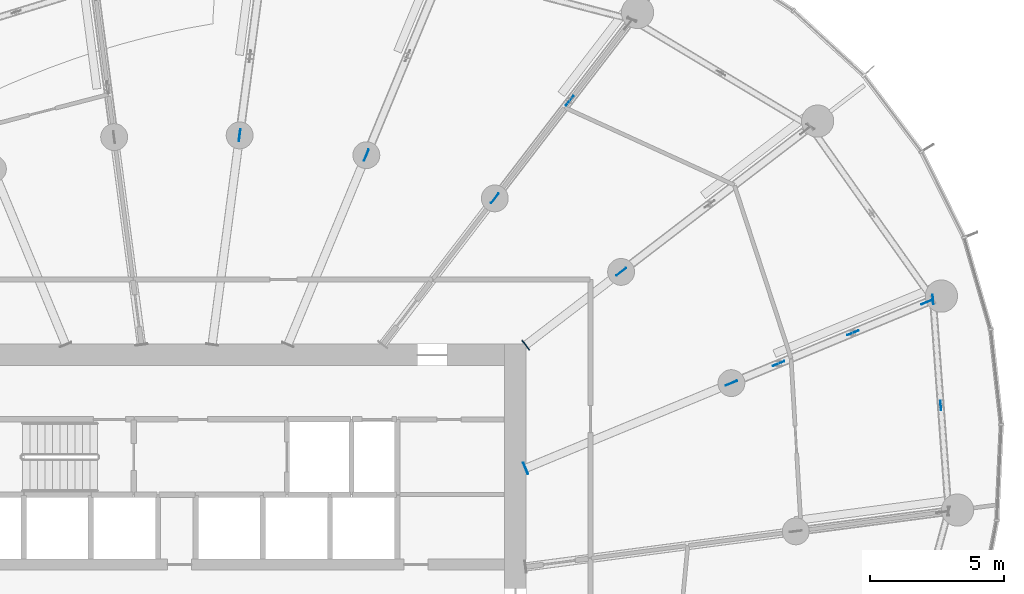
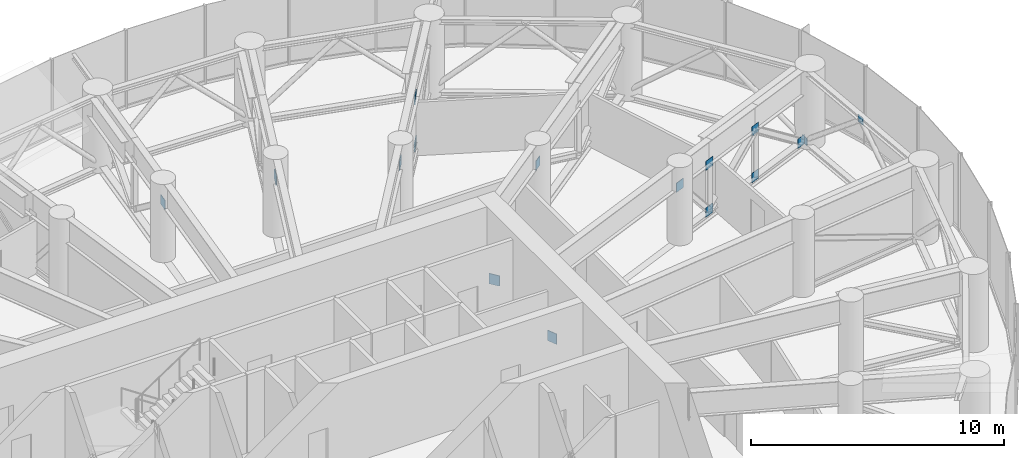
# One storey, part 29 of 33: 16 discrete accessories.
"""IFC4 building model written with IfcOpenShell, lengths in metres."""

import ifcopenshell
import ifcopenshell.guid

model = None  # the IFC model being written
_history = None  # IfcOwnerHistory: only IFC2X3 demands one
_inside = {}  # id of a spatial element -> (the spatial element, [elements in it])
_under = {}  # id of a project, library or spatial element -> (it, [spatial elements below it])
_declared = {}  # id of a project -> (the project, [libraries it declares])
_typed = {}  # id of a type object -> (the type object, [elements of that type])
_made_of = {}  # id of a material, layer set ... -> (it, [elements and type objects made of it])


def new_model(schema):
    """Start an empty IFC model of exactly this schema.

    Asked for "IFC4X3", IfcOpenShell would pick the latest addendum, in which some entities
    have other attributes; the version numbers below select the first issue.
    IFC2X3 requires an IfcOwnerHistory on every rooted entity: one is made here for all.
    """
    global model, _history
    if schema == "IFC4X3":
        model = ifcopenshell.file(schema_version=(4, 3, 0, 0))
    else:
        model = ifcopenshell.file(schema=schema)
    _inside.clear()
    _under.clear()
    _declared.clear()
    _typed.clear()
    _made_of.clear()
    _history = None
    if model.schema == "IFC2X3":
        org = make("IfcOrganization", Name="unknown")
        user = make(
            "IfcPersonAndOrganization",
            ThePerson=make("IfcPerson", FamilyName="unknown"),
            TheOrganization=org,
        )
        app = make(
            "IfcApplication",
            ApplicationDeveloper=org,
            Version="unknown",
            ApplicationFullName="unknown",
            ApplicationIdentifier="unknown",
        )
        _history = make(
            "IfcOwnerHistory",
            OwningUser=user,
            OwningApplication=app,
            ChangeAction="ADDED",
            CreationDate=0,
        )
    return model


def make(cls, **values):
    """One entity of the class cls with the attributes given. An attribute that is None is left unset."""
    return model.create_entity(
        cls, **{name: value for name, value in values.items() if value is not None}
    )


def rooted(cls, **values):
    """An entity with a GlobalId (a new one), such as an element, a storey or a relation."""
    return make(cls, GlobalId=ifcopenshell.guid.new(), OwnerHistory=_history, **values)


def si_unit(unit_type, name, prefix=None):
    """IfcSIUnit, for example si_unit("LENGTHUNIT", "METRE", prefix="MILLI")."""
    return make("IfcSIUnit", UnitType=unit_type, Prefix=prefix, Name=name)


def assignment(units):
    """IfcUnitAssignment: the units of a project."""
    return None if units is None else make("IfcUnitAssignment", Units=units)


def point(xyz):
    """IfcCartesianPoint."""
    return None if xyz is None else make("IfcCartesianPoint", Coordinates=xyz)


def direction(xyz):
    """IfcDirection."""
    return None if xyz is None else make("IfcDirection", DirectionRatios=xyz)


def frame(location, z_axis=None, x_axis=None):
    """IfcAxis2Placement3D, a coordinate frame: its origin and axes. An axis left out is left unset."""
    return make(
        "IfcAxis2Placement3D",
        Location=point(location),
        Axis=direction(z_axis),
        RefDirection=direction(x_axis),
    )


def frame_2d(location, x_axis=None):
    """IfcAxis2Placement2D, a coordinate frame in the plane: its origin and x axis."""
    return make(
        "IfcAxis2Placement2D", Location=point(location), RefDirection=direction(x_axis)
    )


def origin():
    """The frame at (0, 0, 0) with its axes left unset."""
    return frame((0.0, 0.0, 0.0))


def origin_2d():
    """The frame at (0, 0) in the plane with its x axis left unset."""
    return frame_2d((0.0, 0.0))


def place(relative_to, where):
    """IfcLocalPlacement: puts the frame where relative to a parent placement (None: the world)."""
    return make(
        "IfcLocalPlacement", PlacementRelTo=relative_to, RelativePlacement=where
    )


def context(
    kind, dimensions, precision=None, world=None, true_north=None, identifier=None
):
    """IfcGeometricRepresentationContext, for example the 3D "Model" context."""
    return make(
        "IfcGeometricRepresentationContext",
        ContextIdentifier=identifier,
        ContextType=kind,
        CoordinateSpaceDimension=dimensions,
        Precision=precision,
        WorldCoordinateSystem=world,
        TrueNorth=true_north,
    )


def subcontext(parent, identifier, kind, view, scale=None):
    """IfcGeometricRepresentationSubContext, for example "Body" below "Model"."""
    return make(
        "IfcGeometricRepresentationSubContext",
        ContextIdentifier=identifier,
        ContextType=kind,
        ParentContext=parent,
        TargetScale=scale,
        TargetView=view,
    )


def project(units=None, contexts=None):
    """IfcProject with its units and contexts."""
    return rooted(
        "IfcProject",
        Name="project",
        RepresentationContexts=contexts,
        UnitsInContext=assignment(units),
    )


def spatial(cls, under=None, at=None, **own):
    """A site, building, storey or space (cls), placed at a placement, below another one or the project."""
    s = rooted(cls, ObjectPlacement=at, **own)
    if under is not None:
        _under.setdefault(under.id(), (under, []))[1].append(s)
    return s


def profile(cls, at=None, kind="AREA", **sizes):
    """A parametric profile (cls). Its sizes go by their IFC names, for example OverallWidth=200.0."""
    return make(cls, ProfileType=kind, Position=at, **sizes)


def rectangle(**sizes):
    """IfcRectangleProfileDef."""
    return profile("IfcRectangleProfileDef", **sizes)


def extrude(swept, where, along, depth):
    """IfcExtrudedAreaSolid: the profile swept, set in the frame where, extruded along a direction by depth."""
    return make(
        "IfcExtrudedAreaSolid",
        SweptArea=swept,
        Position=where,
        ExtrudedDirection=direction(along),
        Depth=depth,
    )


def shape(context_of_items, identifier, shape_type, items):
    """IfcShapeRepresentation: the items that make up one representation, for example the "Body"."""
    return make(
        "IfcShapeRepresentation",
        ContextOfItems=context_of_items,
        RepresentationIdentifier=identifier,
        RepresentationType=shape_type,
        Items=items,
    )


def source(mapping_origin, context_of_items, identifier, shape_type, items):
    """IfcRepresentationMap: a shape defined once, which mapped items show again and again."""
    return make(
        "IfcRepresentationMap",
        MappingOrigin=mapping_origin,
        MappedRepresentation=shape(context_of_items, identifier, shape_type, items),
    )


def transform(
    local_origin,
    x_axis=None,
    y_axis=None,
    z_axis=None,
    scale=None,
    scale2=None,
    scale3=None,
    uniform=True,
):
    """IfcCartesianTransformationOperator3D, or its non-uniform kind. x_axis, y_axis, z_axis: its Axis1, 2, 3."""
    if uniform:
        return make(
            "IfcCartesianTransformationOperator3D",
            Axis1=direction(x_axis),
            Axis2=direction(y_axis),
            LocalOrigin=point(local_origin),
            Scale=scale,
            Axis3=direction(z_axis),
        )
    return make(
        "IfcCartesianTransformationOperator3DnonUniform",
        Axis1=direction(x_axis),
        Axis2=direction(y_axis),
        LocalOrigin=point(local_origin),
        Scale=scale,
        Axis3=direction(z_axis),
        Scale2=scale2,
        Scale3=scale3,
    )


def mapped(mapping_source, mapping_target):
    """IfcMappedItem: shows the shape of a source again, moved by a transform."""
    return make(
        "IfcMappedItem", MappingSource=mapping_source, MappingTarget=mapping_target
    )


def material(Name=None, Category=None):
    """IfcMaterial."""
    return make("IfcMaterial", Name=Name, Category=Category)


def layer(
    of_material, thickness, ventilated=None, Name=None, Category=None, Priority=None
):
    """IfcMaterialLayer: one layer of a wall or slab, of a material (None: an air gap)."""
    return make(
        "IfcMaterialLayer",
        Material=of_material,
        LayerThickness=thickness,
        IsVentilated=ventilated,
        Name=Name,
        Category=Category,
        Priority=Priority,
    )


def layer_set(layers, Name=None):
    """IfcMaterialLayerSet."""
    return make("IfcMaterialLayerSet", MaterialLayers=layers, LayerSetName=Name)


def made_of(thing, what):
    """Note that an element or type object is made of a material, layer set ...; save() writes the relation."""
    if what is not None:
        _made_of.setdefault(what.id(), (what, []))[1].append(thing)
    return thing


def type_object(cls, material=None, **own):
    """A type object (cls), such as IfcWallType, which elements share."""
    return made_of(rooted(cls, **own), material)


def element(
    cls,
    number,
    at=None,
    inside=None,
    cuts=None,
    type_object=None,
    material=None,
    context=None,
    identifier="Body",
    shape_type=None,
    held_by="IfcProductDefinitionShape",
    body=None,
    shapes=None,
    **own,
):
    """One element of the class cls, such as IfcWall. Its Tag is "e" and its number.

    at: its placement. inside: the storey or other place that contains it. cuts: it is an
    opening in that element (IfcRelVoidsElement). A single representation is given by context,
    identifier, shape_type and body (its items); several are given by shapes. held_by: the class
    of the entity that holds the representations. save() writes the other relations.
    """
    e = rooted(cls, Tag="e%d" % number, ObjectPlacement=at, **own)
    if body is not None:
        shapes = [shape(context, identifier, shape_type, body)]
    if shapes is not None:
        e.Representation = make(held_by, Representations=shapes)
    if inside is not None:
        _inside.setdefault(inside.id(), (inside, []))[1].append(e)
    if cuts is not None:
        rooted(
            "IfcRelVoidsElement", RelatingBuildingElement=cuts, RelatedOpeningElement=e
        )
    if type_object is not None:
        _typed.setdefault(type_object.id(), (type_object, []))[1].append(e)
    return made_of(e, material)


def aggregate(whole, parts):
    """IfcRelAggregates: a whole, such as a stair, and the parts it consists of."""
    return rooted("IfcRelAggregates", RelatingObject=whole, RelatedObjects=parts)


def save(model, path):
    """Write the relations noted so far, then the file.

    IfcRelAggregates (storeys below a building ...), IfcRelContainedInSpatialStructure (elements
    in a storey), IfcRelDefinesByType, IfcRelAssociatesMaterial and IfcRelDeclares: one each for
    every whole, place, type object, material and project.
    """
    for whole, parts in _under.values():
        aggregate(whole, parts)
    for where, things in _inside.values():
        rooted(
            "IfcRelContainedInSpatialStructure",
            RelatedElements=things,
            RelatingStructure=where,
        )
    for kind, things in _typed.values():
        rooted("IfcRelDefinesByType", RelatedObjects=things, RelatingType=kind)
    for what, things in _made_of.values():
        rooted("IfcRelAssociatesMaterial", RelatedObjects=things, RelatingMaterial=what)
    for by, libraries in _declared.values():
        rooted("IfcRelDeclares", RelatingContext=by, RelatedDefinitions=libraries)
    model.write(path)


model = new_model("IFC4")

# Units and contexts
model_context = context("Model", 3, precision=1e-05, world=origin(), true_north=direction((0.0, 1.0)))
body_context = subcontext(model_context, "Body", "Model", "MODEL_VIEW")
ifc_project = project(units=[si_unit("LENGTHUNIT", "METRE"), si_unit("AREAUNIT", "SQUARE_METRE"), si_unit("VOLUMEUNIT", "CUBIC_METRE"), si_unit("PLANEANGLEUNIT", "RADIAN"), si_unit("MASSUNIT", "GRAM", prefix="KILO")], contexts=[model_context])

# Site, building, storey
site_placement = place(None, origin())
site = spatial("IfcSite", under=ifc_project, at=site_placement, CompositionType="ELEMENT")
building_placement = place(site_placement, origin())
building = spatial("IfcBuilding", under=site, at=building_placement, Name="Spindrift Exchange Tower", CompositionType="ELEMENT")
storey_placement = place(building_placement, frame((0.0, 0.0, 129.0)))
storey = spatial("IfcBuildingStorey", under=building, at=storey_placement, Name="L30", CompositionType="ELEMENT", Elevation=129.0)

# Discrete accessories
ifc_material = material(Name="Steel Grade 350", Category="steel")
ifc_layer_1 = layer(ifc_material, 0.031982421875)
ifc_layer_set_1 = layer_set([ifc_layer_1], Name="Cast-in plate 450x500x32 Steel Grade 350")
discrete_accessory_type_1 = type_object("IfcDiscreteAccessoryType", Name="Cast-in plate 450x500x32 Steel Grade 350", PredefinedType="USERDEFINED", material=ifc_layer_set_1)
shared_shape_1 = source(origin(), body_context, "Body", "SweptSolid", [
    extrude(rectangle(XDim=0.031982421875, YDim=0.449951171875, at=origin_2d()), origin(), (0.0, 0.0, 1.0), 0.5),
])
for number, where, z_axis, x_axis, name in (
    (1, (64.9814453125, 53.377197265625, -0.410400390625), (0.0, 0.0, 1.0), (0.923879532511, 0.382683432365, 0.0), "L30 cast-in plate CP2 02"),
    (2, (64.984130859375, 57.963134765625, -0.410400390625), (0.0, 0.0, 1.0), (0.793353340291, 0.608761429009, 0.0), "L30 cast-in plate CP2 03"),
):
    element("IfcDiscreteAccessory", number, at=place(storey_placement, frame(where, z_axis=z_axis, x_axis=x_axis)), inside=storey, type_object=discrete_accessory_type_1, Name=name, ObjectType="Cast-in plate", PredefinedType="USERDEFINED", context=body_context, shape_type="MappedRepresentation", body=[
        mapped(shared_shape_1, transform((0.0, 0.0, 0.0), scale=1.0)),
    ])
ifc_layer_2 = layer(ifc_material, 0.02490234375)
ifc_layer_set_2 = layer_set([ifc_layer_2], Name="Gusset plate 450x450x25 Steel Grade 350")
discrete_accessory_type_2 = type_object("IfcDiscreteAccessoryType", Name="Gusset plate 450x450x25 Steel Grade 350", PredefinedType="USERDEFINED", material=ifc_layer_set_2)
shared_shape_2 = source(origin(), body_context, "Body", "SweptSolid", [
    extrude(rectangle(XDim=0.449951171875, YDim=0.02490234375, at=origin_2d()), origin(), (0.0, 0.0, 1.0), 0.449951171875),
])
for number, where, z_axis, x_axis, name in (
    (3, (72.639404296875, 56.549072265625, 2.35498046875), (0.0, 0.0, 1.0), (0.923886879335, 0.382665695081, 0.0), "L30 gusset plate GP1 02"),
    (4, (74.396728515625, 57.277099609375, 0.09619140625), (0.0, 0.0, 1.0), (0.923886879335, 0.382665695081, 0.0), "L30 gusset plate GP1 02"),
    (5, (77.158203125, 58.4208984375, 2.35498046875), (0.0, 0.0, 1.0), (0.92387352122, 0.382697944584, 0.0), "L30 gusset plate GP1 02"),
    (6, (79.919677734375, 59.564697265625, 0.09619140625), (0.0, 0.0, 1.0), (0.923880868323, 0.382680207415, 0.0), "L30 gusset plate GP1 02"),
    (7, (74.396728515625, 57.277099609375, 2.35498046875), (0.0, 0.0, 1.0), (0.923879532511, 0.382683432365, 0.0), "L30 gusset plate GP1 02"),
    (8, (77.158203125, 58.4208984375, 0.09619140625), (0.0, 0.0, 1.0), (0.923879532511, 0.382683432365, 0.0), "L30 gusset plate GP1 02"),
    (9, (68.534912109375, 60.6875, 2.35498046875), (0.0, 0.0, 1.0), (0.793358652707, 0.608754505672, 0.0), "L30 gusset plate GP1 03"),
    (10, (63.835205078125, 63.423828125, 2.35498046875), (0.0, 0.0, 1.0), (0.608765582989, 0.793350152813, 0.0), "L30 gusset plate GP1 04"),
    (11, (66.625, 67.0595703125, 0.09619140625), (0.0, 0.0, 1.0), (0.608765582989, 0.793350152813, 0.0), "L30 gusset plate GP1 04"),
    (12, (66.625, 67.0595703125, 2.35498046875), (0.0, 0.0, 1.0), (0.608761429009, 0.793353340291, 0.0), "L30 gusset plate GP1 04"),
    (13, (59.0546875, 65.03125, 2.35498046875), (0.0, 0.0, 1.0), (0.382678594938, 0.923881536224, 0.0), "L30 gusset plate GP1 05"),
    (14, (54.339111328125, 65.767333984375, 2.35498046875), (0.0, 0.0, 1.0), (0.130527922618, 0.991444633561, 0.0), "L30 gusset plate GP1 06"),
):
    element("IfcDiscreteAccessory", number, at=place(storey_placement, frame(where, z_axis=z_axis, x_axis=x_axis)), inside=storey, type_object=discrete_accessory_type_2, Name=name, ObjectType="Gusset plate", PredefinedType="USERDEFINED", context=body_context, shape_type="MappedRepresentation", body=[
        mapped(shared_shape_2, transform((0.0, 0.0, 0.0), scale=1.0)),
    ])
ifc_layer_3 = layer(ifc_material, 0.02001953125)
ifc_layer_set_3 = layer_set([ifc_layer_3], Name="Gusset plate 350x350x20 Steel Grade 350")
discrete_accessory_type_3 = type_object("IfcDiscreteAccessoryType", Name="Gusset plate 350x350x20 Steel Grade 350", PredefinedType="USERDEFINED", material=ifc_layer_set_3)
shared_shape_3 = source(origin(), body_context, "Body", "SweptSolid", [
    extrude(rectangle(XDim=0.35009765625, YDim=0.02001953125, at=origin_2d()), origin(), (0.0, 0.0, 1.0), 0.35009765625),
])
for number, where, z_axis, x_axis, name in (
    (15, (80.430419921875, 55.71875, 3.350830078125), (0.0, 0.0, 1.0), (-0.073168571264, 0.997319587785, 0.0), "L30 gusset plate GP2 01"),
    (16, (80.141357421875, 59.656494140625, 0.078857421875), (0.0, 0.0, 1.0), (-0.073168571264, 0.997319587785, 0.0), "L30 gusset plate GP2 01"),
):
    element("IfcDiscreteAccessory", number, at=place(storey_placement, frame(where, z_axis=z_axis, x_axis=x_axis)), inside=storey, type_object=discrete_accessory_type_3, Name=name, ObjectType="Gusset plate", PredefinedType="USERDEFINED", context=body_context, shape_type="MappedRepresentation", body=[
        mapped(shared_shape_3, transform((0.0, 0.0, 0.0), scale=1.0)),
    ])

save(model, "model.ifc")
